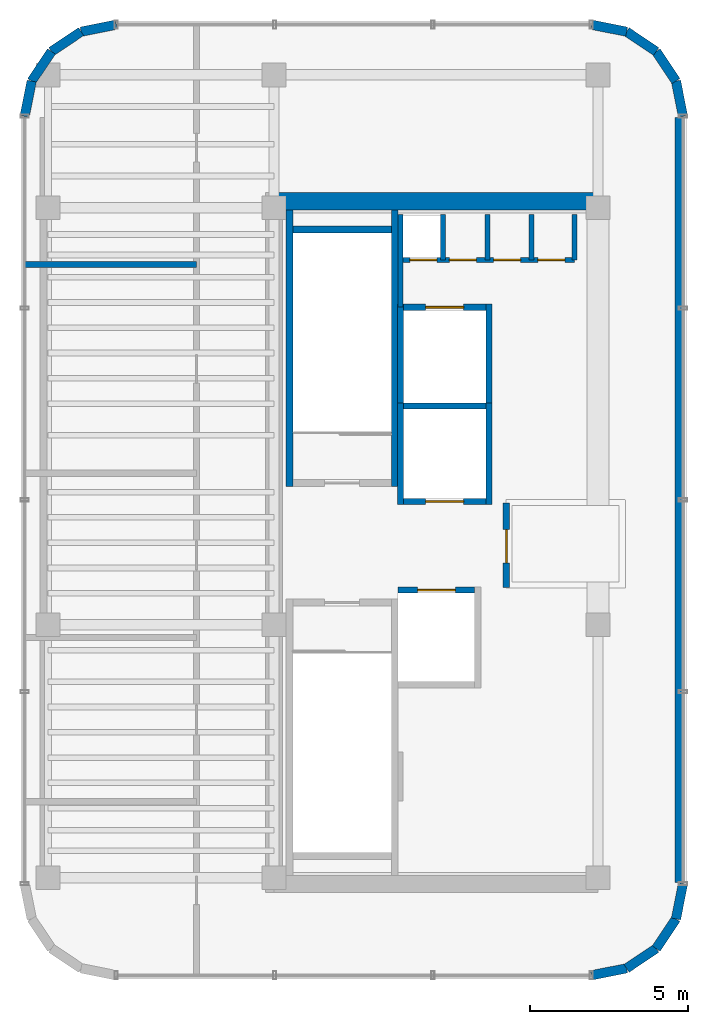
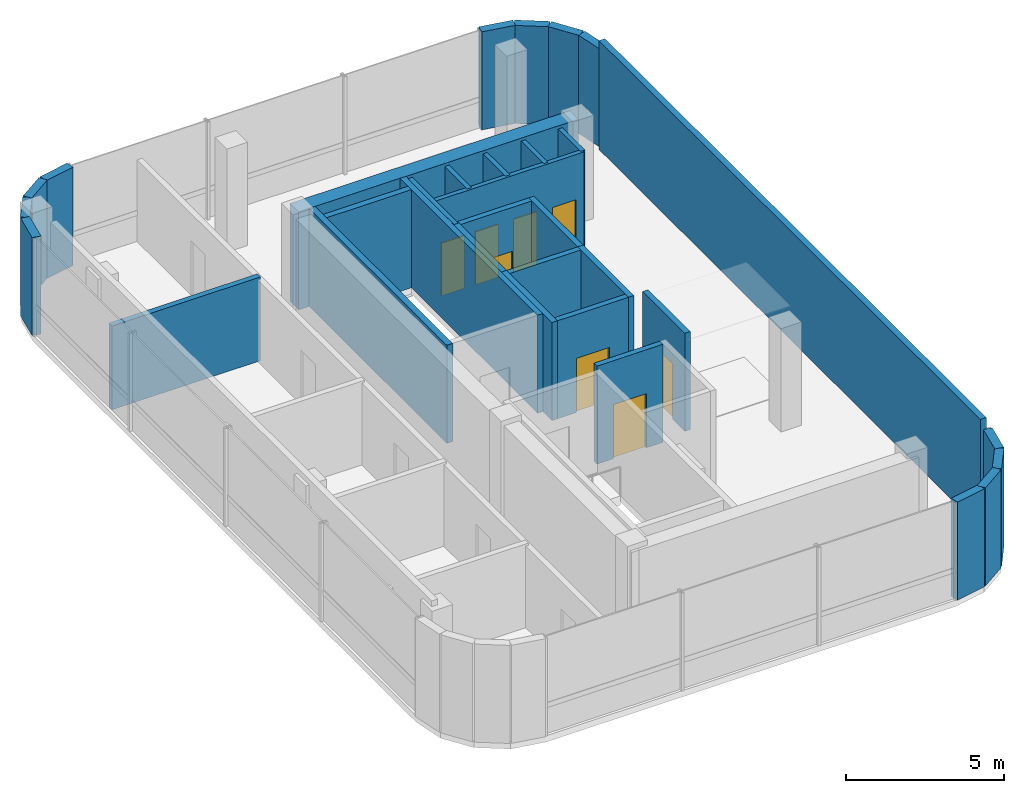
# One storey, part 10 of 11: 33 walls, 8 doors, 8 openings.
"""IFC4 building model written with IfcOpenShell, lengths in metres."""

from ifc_helpers import new_model, si_unit, direction, frame, frame_2d, origin, place, context, subcontext, project, spatial, rectangle, extrude, material, layer, layer_set, type_object, element, fill, save


model = new_model("IFC4")

# Units and contexts
model_context = context("Model", 3, precision=1e-05, world=origin(), true_north=direction((0.0, 1.0)))
body_context = subcontext(model_context, "Body", "Model", "MODEL_VIEW")
ifc_project = project(units=[si_unit("LENGTHUNIT", "METRE"), si_unit("AREAUNIT", "SQUARE_METRE"), si_unit("VOLUMEUNIT", "CUBIC_METRE"), si_unit("PLANEANGLEUNIT", "RADIAN"), si_unit("MASSUNIT", "GRAM", prefix="KILO")], contexts=[model_context])

# Site, building, storey
site_placement = place(None, origin())
site = spatial("IfcSite", under=ifc_project, at=site_placement, CompositionType="ELEMENT")
building_placement = place(site_placement, origin())
building = spatial("IfcBuilding", under=site, at=building_placement, Name="Valdorenza Pilgrim Sanctuary Tower", CompositionType="ELEMENT")
storey_placement = place(building_placement, frame((0.0, 0.0, 303.60009765625)))
storey = spatial("IfcBuildingStorey", under=building, at=storey_placement, Name="L79", CompositionType="ELEMENT", Elevation=303.60009765625)

# Wall
ifc_material_1 = material(Name="Acoustic twin-stud gypsum partition", Category="gypsum")
ifc_layer_1 = layer(ifc_material_1, 0.159912109375, Name="Acoustic twin-stud gypsum partition")
ifc_layer_set_1 = layer_set([ifc_layer_1], Name="Acoustic twin-stud gypsum partition")
wall_type_1 = type_object("IfcWallType", Name="WAL-COR-160", PredefinedType="PARTITIONING", material=ifc_layer_set_1)
wall_1_placement = place(storey_placement, frame((-18.64990234375, 7.449951171875, 0.0), z_axis=(0.0, 0.0, 1.0), x_axis=(0.0, 1.0, 0.0)))
element("IfcWall", 1, at=wall_1_placement, inside=storey, type_object=wall_type_1, Name="L79 Core A North Service West Wall", PredefinedType="PARTITIONING", context=body_context, shape_type="SweptSolid", body=[
    extrude(rectangle(XDim=2.929931640625, YDim=0.159912109375, at=frame_2d((1.46484375, 0.0))), origin(), (0.0, 0.0, 1.0), 3.7998046875),
])

# Wall, openings, doors
wall_2_placement = place(storey_placement, frame((-18.64990234375, 8.949951171875, 0.0), z_axis=(0.0, 0.0, 1.0), x_axis=(1.0, 0.0, 0.0)))
wall_2 = element("IfcWall", 2, at=wall_2_placement, inside=storey, type_object=wall_type_1, Name="L79 Core A North Service South Wall", PredefinedType="PARTITIONING", context=body_context, shape_type="SweptSolid", body=[
    extrude(rectangle(XDim=5.5, YDim=0.159912109375, at=frame_2d((2.75, 0.0))), origin(), (0.0, 0.0, 1.0), 3.7998046875),
])
opening_1_placement = place(wall_2_placement, frame((0.300048828125, 0.0, 0.0)))
opening_1 = element("IfcOpeningElement", 3, at=opening_1_placement, cuts=wall_2, Name="Opening DR-RS1", PredefinedType="OPENING", context=body_context, shape_type="SweptSolid", body=[
    extrude(rectangle(XDim=0.85009765625, YDim=2.050048828125, at=frame_2d((0.425048828125, 1.02490234375))), frame((0.0, 0.0947265625, 0.0), z_axis=(0.0, -1.0, 0.0), x_axis=(1.0, 0.0, 0.0)), (0.0, 0.0, 1.0), 0.189697265625),
])
opening_2_placement = place(wall_2_placement, frame((1.550048828125, 0.0, 0.0)))
opening_2 = element("IfcOpeningElement", 4, at=opening_2_placement, cuts=wall_2, Name="Opening DR-RS1", PredefinedType="OPENING", context=body_context, shape_type="SweptSolid", body=[
    extrude(rectangle(XDim=0.85009765625, YDim=2.050048828125, at=frame_2d((0.425048828125, 1.02490234375))), frame((0.0, 0.0947265625, 0.0), z_axis=(0.0, -1.0, 0.0), x_axis=(1.0, 0.0, 0.0)), (0.0, 0.0, 1.0), 0.189697265625),
])
opening_3_placement = place(wall_2_placement, frame((2.949951171875, 0.0, 0.0)))
opening_3 = element("IfcOpeningElement", 5, at=opening_3_placement, cuts=wall_2, Name="Opening DR-RS1", PredefinedType="OPENING", context=body_context, shape_type="SweptSolid", body=[
    extrude(rectangle(XDim=0.85009765625, YDim=2.050048828125, at=frame_2d((0.425048828125, 1.02490234375))), frame((0.0, 0.0947265625, 0.0), z_axis=(0.0, -1.0, 0.0), x_axis=(1.0, 0.0, 0.0)), (0.0, 0.0, 1.0), 0.189697265625),
])
opening_4_placement = place(wall_2_placement, frame((4.35009765625, 0.0, 0.0)))
opening_4 = element("IfcOpeningElement", 6, at=opening_4_placement, cuts=wall_2, Name="Opening DR-RS1", PredefinedType="OPENING", context=body_context, shape_type="SweptSolid", body=[
    extrude(rectangle(XDim=0.85009765625, YDim=2.050048828125, at=frame_2d((0.425048828125, 1.02490234375))), frame((0.0, 0.0947265625, 0.0), z_axis=(0.0, -1.0, 0.0), x_axis=(1.0, 0.0, 0.0)), (0.0, 0.0, 1.0), 0.189697265625),
])
ifc_material_2 = material(Name="Painted galvanized steel", Category="steel")
door_type_1 = type_object("IfcDoorType", Name="DR-RSR-850", OperationType="NOTDEFINED", PredefinedType="DOOR", material=ifc_material_2)
door_1_placement = place(opening_1_placement, origin())
door_1 = element("IfcDoor", 7, at=door_1_placement, inside=storey, type_object=door_type_1, Name="L79 Core Electrical and Telecom Riser Door", OperationType="SINGLE_SWING_LEFT", OverallHeight=2.050048828125, OverallWidth=0.85009765625, PredefinedType="DOOR", context=body_context, shape_type="SweptSolid", body=[
    extrude(rectangle(XDim=0.85009765625, YDim=2.050048828125, at=frame_2d((0.425048828125, 1.02490234375))), frame((0.0, 0.02490234375, 0.0), z_axis=(0.0, -1.0, 0.0), x_axis=(1.0, 0.0, 0.0)), (0.0, 0.0, 1.0), 0.050048828125),
])
fill(opening_1, door_1)
door_2_placement = place(opening_2_placement, origin())
door_2 = element("IfcDoor", 8, at=door_2_placement, inside=storey, type_object=door_type_1, Name="L79 Core Janitor and Maintenance Store Door", OperationType="SINGLE_SWING_RIGHT", OverallHeight=2.050048828125, OverallWidth=0.85009765625, PredefinedType="DOOR", context=body_context, shape_type="SweptSolid", body=[
    extrude(rectangle(XDim=0.85009765625, YDim=2.050048828125, at=frame_2d((0.425048828125, 1.02490234375))), frame((0.0, 0.02490234375, 0.0), z_axis=(0.0, -1.0, 0.0), x_axis=(1.0, 0.0, 0.0)), (0.0, 0.0, 1.0), 0.050048828125),
])
fill(opening_2, door_2)
door_3_placement = place(opening_3_placement, origin())
door_3 = element("IfcDoor", 9, at=door_3_placement, inside=storey, type_object=door_type_1, Name="L79 Core IT Server Closet Door", OperationType="SINGLE_SWING_LEFT", OverallHeight=2.050048828125, OverallWidth=0.85009765625, PredefinedType="DOOR", context=body_context, shape_type="SweptSolid", body=[
    extrude(rectangle(XDim=0.85009765625, YDim=2.050048828125, at=frame_2d((0.425048828125, 1.02490234375))), frame((0.0, 0.02490234375, 0.0), z_axis=(0.0, -1.0, 0.0), x_axis=(1.0, 0.0, 0.0)), (0.0, 0.0, 1.0), 0.050048828125),
])
fill(opening_3, door_3)
door_4_placement = place(opening_4_placement, origin())
door_4 = element("IfcDoor", 10, at=door_4_placement, inside=storey, type_object=door_type_1, Name="L79 Core Staff Washroom Door", OperationType="SINGLE_SWING_RIGHT", OverallHeight=2.050048828125, OverallWidth=0.85009765625, PredefinedType="DOOR", context=body_context, shape_type="SweptSolid", body=[
    extrude(rectangle(XDim=0.85009765625, YDim=2.050048828125, at=frame_2d((0.425048828125, 1.02490234375))), frame((0.0, 0.02490234375, 0.0), z_axis=(0.0, -1.0, 0.0), x_axis=(1.0, 0.0, 0.0)), (0.0, 0.0, 1.0), 0.050048828125),
])
fill(opening_4, door_4)

# Walls
for number, where, z_axis, x_axis, name in (
    (11, (-13.14990234375, 8.949951171875, 0.0), (0.0, 0.0, 1.0), (0.0, 1.0, 0.0), "L79 Core A North Service East Wall"),
    (12, (-17.300048828125, 8.949951171875, 0.0), (0.0, 0.0, 1.0), (0.0, 1.0, 0.0), "L79 Core Electrical Riser Wall"),
    (13, (-15.89990234375, 8.949951171875, 0.0), (0.0, 0.0, 1.0), (0.0, 1.0, 0.0), "L79 Core A Split D1"),
    (14, (-14.5, 8.949951171875, 0.0), (0.0, 0.0, 1.0), (0.0, 1.0, 0.0), "L79 Core A Split D2"),
):
    element("IfcWall", number, at=place(storey_placement, frame(where, z_axis=z_axis, x_axis=x_axis)), inside=storey, type_object=wall_type_1, Name=name, PredefinedType="PARTITIONING", context=body_context, shape_type="SweptSolid", body=[
        extrude(rectangle(XDim=1.429931640625, YDim=0.159912109375, at=frame_2d((0.71484375, 0.0))), origin(), (0.0, 0.0, 1.0), 3.7998046875),
    ])
ifc_material_3 = material(Name="Concrete C50/60", Category="concrete")
ifc_layer_2 = layer(ifc_material_3, 0.550048828125, Name="Concrete C50/60")
ifc_layer_set_2 = layer_set([ifc_layer_2], Name="Concrete C50/60")
wall_type_2 = type_object("IfcWallType", Name="WAL-COR-550", PredefinedType="SHEAR", material=ifc_layer_set_2)
wall_3_placement = place(storey_placement, frame((-22.64990234375, 10.800048828125, 0.0), z_axis=(0.0, 0.0, 1.0), x_axis=(1.0, 0.0, 0.0)))
element("IfcWall", 15, at=wall_3_placement, inside=storey, type_object=wall_type_2, Name="L79 Split Core A Shear Wall N", PredefinedType="SHEAR", context=body_context, shape_type="SweptSolid", body=[
    extrude(rectangle(XDim=10.25, YDim=0.550048828125, at=frame_2d((5.125, 0.0))), origin(), (0.0, 0.0, 1.0), 3.7998046875),
])
ifc_material_4 = material(Name="Honed travertine limestone", Category="masonry")
ifc_layer_3 = layer(ifc_material_4, 0.300048828125, Name="Honed travertine limestone")
ifc_layer_set_3 = layer_set([ifc_layer_3], Name="Honed travertine limestone")
wall_type_3 = type_object("IfcWallType", Name="WAL-EXT-300", PredefinedType="SOLIDWALL", material=ifc_layer_set_3)
wall_4_placement = place(storey_placement, frame((-30.5400390625, 13.4892578125, 0.0), z_axis=(0.0, 0.0, 1.0), x_axis=(0.195043173023, 0.980794657743, 0.0)))
element("IfcWall", 16, at=wall_4_placement, inside=storey, type_object=wall_type_3, Name="L79 Rounded Wind-Corner Stone Pier 2", PredefinedType="SOLIDWALL", context=body_context, shape_type="SweptSolid", body=[
    extrude(rectangle(XDim=1.137939453125, YDim=0.300048828125, at=frame_2d((0.56884765625, 0.0))), origin(), (0.0, 0.0, 1.0), 3.7998046875),
])
for number, where, z_axis, x_axis, name in (
    (17, (-30.318115234375, 14.605224609375, 0.0), (0.0, 0.0, 1.0), (0.555749754081, 0.831349632128, 0.0), "L79 Rounded Wind-Corner Stone Pier 3"),
    (18, (-29.69189453125, 15.5419921875, 0.0), (0.0, 0.0, 1.0), (0.831449735491, 0.555599979619, 0.0), "L79 Rounded Wind-Corner Stone Pier 4"),
):
    element("IfcWall", number, at=place(storey_placement, frame(where, z_axis=z_axis, x_axis=x_axis)), inside=storey, type_object=wall_type_3, Name=name, PredefinedType="SOLIDWALL", context=body_context, shape_type="SweptSolid", body=[
        extrude(rectangle(XDim=1.126708984375, YDim=0.300048828125, at=frame_2d((0.5634765625, 0.0))), origin(), (0.0, 0.0, 1.0), 3.7998046875),
    ])
for number, where, z_axis, x_axis, name in (
    (19, (-28.755126953125, 16.16796875, 0.0), (0.0, 0.0, 1.0), (0.980794657743, 0.195043173023, 0.0), "L79 Rounded Wind-Corner Stone Pier 5"),
    (20, (-12.61083984375, 16.389892578125, 0.0), (0.0, 0.0, 1.0), (0.980794657743, -0.195043173023, 0.0), "L79 Rounded Wind-Corner Stone Pier 7"),
):
    element("IfcWall", number, at=place(storey_placement, frame(where, z_axis=z_axis, x_axis=x_axis)), inside=storey, type_object=wall_type_3, Name=name, PredefinedType="SOLIDWALL", context=body_context, shape_type="SweptSolid", body=[
        extrude(rectangle(XDim=1.137939453125, YDim=0.300048828125, at=frame_2d((0.56884765625, 0.0))), origin(), (0.0, 0.0, 1.0), 3.7998046875),
    ])
for number, where, z_axis, x_axis, name in (
    (21, (-11.494873046875, 16.16796875, 0.0), (0.0, 0.0, 1.0), (0.831449735491, -0.555599979619, 0.0), "L79 Rounded Wind-Corner Stone Pier 8"),
    (22, (-10.55810546875, 15.5419921875, 0.0), (0.0, 0.0, 1.0), (0.555749754081, -0.831349632128, 0.0), "L79 Rounded Wind-Corner Stone Pier 9"),
):
    element("IfcWall", number, at=place(storey_placement, frame(where, z_axis=z_axis, x_axis=x_axis)), inside=storey, type_object=wall_type_3, Name=name, PredefinedType="SOLIDWALL", context=body_context, shape_type="SweptSolid", body=[
        extrude(rectangle(XDim=1.126708984375, YDim=0.300048828125, at=frame_2d((0.5634765625, 0.0))), origin(), (0.0, 0.0, 1.0), 3.7998046875),
    ])
for number, where, z_axis, x_axis, name in (
    (23, (-9.931884765625, 14.605224609375, 0.0), (0.0, 0.0, 1.0), (0.195043173023, -0.980794657743, 0.0), "L79 Rounded Wind-Corner Stone Pier 10"),
    (24, (-9.7099609375, -10.789306640625, 0.0), (0.0, 0.0, 1.0), (-0.195043173023, -0.980794657743, 0.0), "L79 Rounded Wind-Corner Stone Pier 12"),
):
    element("IfcWall", number, at=place(storey_placement, frame(where, z_axis=z_axis, x_axis=x_axis)), inside=storey, type_object=wall_type_3, Name=name, PredefinedType="SOLIDWALL", context=body_context, shape_type="SweptSolid", body=[
        extrude(rectangle(XDim=1.137939453125, YDim=0.300048828125, at=frame_2d((0.56884765625, 0.0))), origin(), (0.0, 0.0, 1.0), 3.7998046875),
    ])
for number, where, z_axis, x_axis, name in (
    (25, (-9.931884765625, -11.9052734375, 0.0), (0.0, 0.0, 1.0), (-0.555749754081, -0.831349632128, 0.0), "L79 Rounded Wind-Corner Stone Pier 13"),
    (26, (-10.55810546875, -12.842041015625, 0.0), (0.0, 0.0, 1.0), (-0.831449735491, -0.555599979619, 0.0), "L79 Rounded Wind-Corner Stone Pier 14"),
):
    element("IfcWall", number, at=place(storey_placement, frame(where, z_axis=z_axis, x_axis=x_axis)), inside=storey, type_object=wall_type_3, Name=name, PredefinedType="SOLIDWALL", context=body_context, shape_type="SweptSolid", body=[
        extrude(rectangle(XDim=1.126708984375, YDim=0.300048828125, at=frame_2d((0.5634765625, 0.0))), origin(), (0.0, 0.0, 1.0), 3.7998046875),
    ])
wall_5_placement = place(storey_placement, frame((-11.494873046875, -13.468017578125, 0.0), z_axis=(0.0, 0.0, 1.0), x_axis=(-0.980794657743, -0.195043173023, 0.0)))
element("IfcWall", 27, at=wall_5_placement, inside=storey, type_object=wall_type_3, Name="L79 Rounded Wind-Corner Stone Pier 15", PredefinedType="SOLIDWALL", context=body_context, shape_type="SweptSolid", body=[
    extrude(rectangle(XDim=1.137939453125, YDim=0.300048828125, at=frame_2d((0.56884765625, 0.0))), origin(), (0.0, 0.0, 1.0), 3.7998046875),
])

# Wall, opening, door
ifc_material_5 = material(Name="Gypsum shaftwall partition", Category="gypsum")
ifc_layer_4 = layer(ifc_material_5, 0.199951171875, Name="Gypsum shaftwall partition")
ifc_layer_set_4 = layer_set([ifc_layer_4], Name="Gypsum shaftwall partition")
wall_type_4 = type_object("IfcWallType", Name="WAL-FFL-200", PredefinedType="PARTITIONING", material=ifc_layer_set_4)
wall_6_placement = place(storey_placement, frame((-15.300048828125, -1.419921875, 0.0), z_axis=(0.0, 0.0, 1.0), x_axis=(0.0, 1.0, 0.0)))
wall_6 = element("IfcWall", 28, at=wall_6_placement, inside=storey, type_object=wall_type_4, Name="L79 Core A Firefighting Lobby East Wall", PredefinedType="PARTITIONING", context=body_context, shape_type="SweptSolid", body=[
    extrude(rectangle(XDim=2.669921875, YDim=0.199951171875, at=frame_2d((1.3349609375, 0.0))), origin(), (0.0, 0.0, 1.0), 3.7998046875),
])
opening_5_placement = place(wall_6_placement, frame((0.780029296875, 0.0, 0.0)))
opening_5 = element("IfcOpeningElement", 29, at=opening_5_placement, cuts=wall_6, Name="Opening DR-FL1", PredefinedType="OPENING", context=body_context, shape_type="SweptSolid", body=[
    extrude(rectangle(XDim=1.050048828125, YDim=2.14990234375, at=frame_2d((0.52490234375, 1.074951171875))), frame((0.0, 0.11474609375, 0.0), z_axis=(0.0, -1.0, 0.0), x_axis=(1.0, 0.0, 0.0)), (0.0, 0.0, 1.0), 0.229736328125),
])
door_type_2 = type_object("IfcDoorType", Name="DR-FFL-1050", OperationType="NOTDEFINED", PredefinedType="DOOR", material=ifc_material_2)
door_5_placement = place(opening_5_placement, origin())
door_5 = element("IfcDoor", 30, at=door_5_placement, inside=storey, type_object=door_type_2, Name="L79 Core A Firefighting Lobby Door", OperationType="SINGLE_SWING_RIGHT", OverallHeight=2.14990234375, OverallWidth=1.050048828125, PredefinedType="DOOR", context=body_context, shape_type="SweptSolid", body=[
    extrude(rectangle(XDim=1.050048828125, YDim=2.14990234375, at=frame_2d((0.52490234375, 1.074951171875))), frame((0.0, 0.02490234375, 0.0), z_axis=(0.0, -1.0, 0.0), x_axis=(1.0, 0.0, 0.0)), (0.0, 0.0, 1.0), 0.050048828125),
])
fill(opening_5, door_5)

# Walls
wall_7_placement = place(storey_placement, frame((-30.5400390625, 8.800048828125, 0.0), z_axis=(0.0, 0.0, 1.0), x_axis=(1.0, 0.0, 0.0)))
element("IfcWall", 31, at=wall_7_placement, inside=storey, type_object=wall_type_4, Name="L79 L79 Plant Compartment Wall 4", PredefinedType="PARTITIONING", context=body_context, shape_type="SweptSolid", body=[
    extrude(rectangle(XDim=5.43994140625, YDim=0.199951171875, at=frame_2d((2.719970703125, 0.0))), origin(), (0.0, 0.0, 1.0), 3.245849609375),
])
ifc_material_6 = material(Name="Autoclaved aerated concrete blockwork", Category="masonry")
ifc_layer_5 = layer(ifc_material_6, 0.199951171875, Name="Autoclaved aerated concrete blockwork")
ifc_layer_set_5 = layer_set([ifc_layer_5], Name="Autoclaved aerated concrete blockwork")
wall_type_5 = type_object("IfcWallType", Name="WAL-SHF-200", PredefinedType="MOVABLE", material=ifc_layer_set_5)
for number, where, z_axis, x_axis, name in (
    (32, (-18.64990234375, 1.199951171875, 0.0), (0.0, 0.0, 1.0), (0.0, 1.0, 0.0), "L79 Lift FFL-01 Hoistway Wall West"),
    (33, (-15.85009765625, 1.199951171875, 0.0), (0.0, 0.0, 1.0), (0.0, 1.0, 0.0), "L79 Lift FFL-01 Hoistway Wall East"),
):
    element("IfcWall", number, at=place(storey_placement, frame(where, z_axis=z_axis, x_axis=x_axis)), inside=storey, type_object=wall_type_5, Name=name, PredefinedType="MOVABLE", context=body_context, shape_type="SweptSolid", body=[
        extrude(rectangle(XDim=3.22509765625, YDim=0.199951171875, at=frame_2d((1.612548828125, 0.0))), origin(), (0.0, 0.0, 1.0), 3.7998046875),
    ])

# Wall, opening, door
wall_8_placement = place(storey_placement, frame((-18.550048828125, 1.300048828125, 0.0), z_axis=(0.0, 0.0, 1.0), x_axis=(1.0, 0.0, 0.0)))
wall_8 = element("IfcWall", 34, at=wall_8_placement, inside=storey, type_object=wall_type_5, Name="L79 Lift FFL-01 Hoistway Wall South", PredefinedType="MOVABLE", context=body_context, shape_type="SweptSolid", body=[
    extrude(rectangle(XDim=2.60009765625, YDim=0.199951171875, at=frame_2d((1.300048828125, 0.0))), origin(), (0.0, 0.0, 1.0), 3.7998046875),
])
opening_6_placement = place(wall_8_placement, frame((0.699951171875, 0.0, 0.0)))
opening_6 = element("IfcOpeningElement", 35, at=opening_6_placement, cuts=wall_8, Name="Opening LD-02", PredefinedType="OPENING", context=body_context, shape_type="SweptSolid", body=[
    extrude(rectangle(XDim=1.199951171875, YDim=2.10009765625, at=frame_2d((0.60009765625, 1.050048828125))), frame((0.0, 0.11474609375, 0.0), z_axis=(0.0, -1.0, 0.0), x_axis=(1.0, 0.0, 0.0)), (0.0, 0.0, 1.0), 0.229736328125),
])
ifc_material_7 = material(Name="Brushed stainless steel Grade 316", Category="steel")
door_type_3 = type_object("IfcDoorType", Name="DR-LFT-1200", OperationType="DOUBLE_DOOR_SLIDING", PredefinedType="DOOR", material=ifc_material_7)
door_6_placement = place(opening_6_placement, origin())
door_6 = element("IfcDoor", 36, at=door_6_placement, inside=storey, type_object=door_type_3, Name="L79 Lift FFL-01 Sliding Landing Door", OperationType="DOUBLE_DOOR_SLIDING", OverallHeight=2.10009765625, OverallWidth=1.199951171875, PredefinedType="DOOR", context=body_context, shape_type="SweptSolid", body=[
    extrude(rectangle(XDim=1.199951171875, YDim=2.10009765625, at=frame_2d((0.60009765625, 1.050048828125))), frame((0.0, 0.02490234375, 0.0), z_axis=(0.0, -1.0, 0.0), x_axis=(1.0, 0.0, 0.0)), (0.0, 0.0, 1.0), 0.050048828125),
])
fill(opening_6, door_6)

# Wall
wall_9_placement = place(storey_placement, frame((-18.550048828125, 4.324951171875, 0.0), z_axis=(0.0, 0.0, 1.0), x_axis=(1.0, 0.0, 0.0)))
element("IfcWall", 37, at=wall_9_placement, inside=storey, type_object=wall_type_5, Name="L79 Lift FFL-01 Hoistway Wall North", PredefinedType="MOVABLE", context=body_context, shape_type="SweptSolid", body=[
    extrude(rectangle(XDim=2.60009765625, YDim=0.199951171875, at=frame_2d((1.300048828125, 0.0))), origin(), (0.0, 0.0, 1.0), 3.7998046875),
])

# Wall, opening, door
wall_10_placement = place(storey_placement, frame((-18.719970703125, -1.5, 0.0), z_axis=(0.0, 0.0, 1.0), x_axis=(1.0, 0.0, 0.0)))
wall_10 = element("IfcWall", 38, at=wall_10_placement, inside=storey, type_object=wall_type_5, Name="L79 Lift FFL-02 Hoistway Wall North", PredefinedType="MOVABLE", context=body_context, shape_type="SweptSolid", body=[
    extrude(rectangle(XDim=2.419921875, YDim=0.199951171875, at=frame_2d((1.2099609375, 0.0))), origin(), (0.0, 0.0, 1.0), 3.7998046875),
])
opening_7_placement = place(wall_10_placement, frame((0.610107421875, 0.0, 0.0)))
opening_7 = element("IfcOpeningElement", 39, at=opening_7_placement, cuts=wall_10, Name="Opening LD-02", PredefinedType="OPENING", context=body_context, shape_type="SweptSolid", body=[
    extrude(rectangle(XDim=1.199951171875, YDim=2.10009765625, at=frame_2d((0.60009765625, 1.050048828125))), frame((0.0, 0.11474609375, 0.0), z_axis=(0.0, -1.0, 0.0), x_axis=(1.0, 0.0, 0.0)), (0.0, 0.0, 1.0), 0.229736328125),
])
door_7_placement = place(opening_7_placement, origin())
door_7 = element("IfcDoor", 40, at=door_7_placement, inside=storey, type_object=door_type_3, Name="L79 Lift FFL-02 Sliding Landing Door", OperationType="DOUBLE_DOOR_SLIDING", OverallHeight=2.10009765625, OverallWidth=1.199951171875, PredefinedType="DOOR", context=body_context, shape_type="SweptSolid", body=[
    extrude(rectangle(XDim=1.199951171875, YDim=2.10009765625, at=frame_2d((0.60009765625, 1.050048828125))), frame((0.0, 0.02490234375, 0.0), z_axis=(0.0, -1.0, 0.0), x_axis=(1.0, 0.0, 0.0)), (0.0, 0.0, 1.0), 0.050048828125),
])
fill(opening_7, door_7)

# Walls
for number, where, z_axis, x_axis, name in (
    (41, (-18.64990234375, 4.22509765625, 0.0), (0.0, 0.0, 1.0), (0.0, 1.0, 0.0), "L79 Lift SVL-01 Hoistway Wall West"),
    (42, (-15.85009765625, 4.22509765625, 0.0), (0.0, 0.0, 1.0), (0.0, 1.0, 0.0), "L79 Lift SVL-01 Hoistway Wall East"),
):
    element("IfcWall", number, at=place(storey_placement, frame(where, z_axis=z_axis, x_axis=x_axis)), inside=storey, type_object=wall_type_5, Name=name, PredefinedType="MOVABLE", context=body_context, shape_type="SweptSolid", body=[
        extrude(rectangle(XDim=3.324951171875, YDim=0.199951171875, at=frame_2d((1.66259765625, 0.0))), origin(), (0.0, 0.0, 1.0), 3.7998046875),
    ])

# Wall, opening, door
wall_11_placement = place(storey_placement, frame((-18.550048828125, 7.449951171875, 0.0), z_axis=(0.0, 0.0, 1.0), x_axis=(1.0, 0.0, 0.0)))
wall_11 = element("IfcWall", 43, at=wall_11_placement, inside=storey, type_object=wall_type_5, Name="L79 Lift SVL-01 Hoistway Wall North", PredefinedType="MOVABLE", context=body_context, shape_type="SweptSolid", body=[
    extrude(rectangle(XDim=2.60009765625, YDim=0.199951171875, at=frame_2d((1.300048828125, 0.0))), origin(), (0.0, 0.0, 1.0), 3.7998046875),
])
opening_8_placement = place(wall_11_placement, frame((0.699951171875, 0.0, 0.0)))
opening_8 = element("IfcOpeningElement", 44, at=opening_8_placement, cuts=wall_11, Name="Opening LD-02", PredefinedType="OPENING", context=body_context, shape_type="SweptSolid", body=[
    extrude(rectangle(XDim=1.199951171875, YDim=2.10009765625, at=frame_2d((0.60009765625, 1.050048828125))), frame((0.0, 0.11474609375, 0.0), z_axis=(0.0, -1.0, 0.0), x_axis=(1.0, 0.0, 0.0)), (0.0, 0.0, 1.0), 0.229736328125),
])
door_8_placement = place(opening_8_placement, origin())
door_8 = element("IfcDoor", 45, at=door_8_placement, inside=storey, type_object=door_type_3, Name="L79 Lift SVL-01 Sliding Landing Door", OperationType="DOUBLE_DOOR_SLIDING", OverallHeight=2.10009765625, OverallWidth=1.199951171875, PredefinedType="DOOR", context=body_context, shape_type="SweptSolid", body=[
    extrude(rectangle(XDim=1.199951171875, YDim=2.10009765625, at=frame_2d((0.60009765625, 1.050048828125))), frame((0.0, 0.02490234375, 0.0), z_axis=(0.0, -1.0, 0.0), x_axis=(1.0, 0.0, 0.0)), (0.0, 0.0, 1.0), 0.050048828125),
])
fill(opening_8, door_8)

# Walls
ifc_material_8 = material(Name="Concrete C40/50", Category="concrete")
ifc_layer_6 = layer(ifc_material_8, 0.219970703125, Name="Concrete C40/50")
ifc_layer_set_6 = layer_set([ifc_layer_6], Name="Concrete C40/50")
wall_type_6 = type_object("IfcWallType", Name="WAL-STR-SHF-220", PredefinedType="SHEAR", material=ifc_layer_set_6)
for number, where, z_axis, x_axis, name in (
    (46, (-22.159912109375, 1.780029296875, 0.0), (0.0, 0.0, 1.0), (0.0, 1.0, 0.0), "L79 ST-A1 Structural Stairwell Wall W"),
    (47, (-18.830078125, 1.780029296875, 0.0), (0.0, 0.0, 1.0), (0.0, 1.0, 0.0), "L79 ST-A1 Structural Stairwell Wall E"),
):
    element("IfcWall", number, at=place(storey_placement, frame(where, z_axis=z_axis, x_axis=x_axis)), inside=storey, type_object=wall_type_6, Name=name, PredefinedType="SHEAR", context=body_context, shape_type="SweptSolid", body=[
        extrude(rectangle(XDim=8.744873046875, YDim=0.219970703125, at=frame_2d((4.37255859375, 0.0))), origin(), (0.0, 0.0, 1.0), 3.7998046875),
    ])
wall_12_placement = place(storey_placement, frame((-22.050048828125, 9.909912109375, 0.0), z_axis=(0.0, 0.0, 1.0), x_axis=(1.0, 0.0, 0.0)))
element("IfcWall", 48, at=wall_12_placement, inside=storey, type_object=wall_type_6, Name="L79 ST-A1 Structural Stairwell Wall N", PredefinedType="SHEAR", context=body_context, shape_type="SweptSolid", body=[
    extrude(rectangle(XDim=3.110107421875, YDim=0.219970703125, at=frame_2d((1.55517578125, 0.0))), origin(), (0.0, 0.0, 1.0), 3.7998046875),
])
wall_13_placement = place(storey_placement, frame((-9.85009765625, -10.75, 0.0), z_axis=(0.0, 0.0, 1.0), x_axis=(0.0, 1.0, 0.0)))
element("IfcWall", 49, at=wall_13_placement, inside=storey, type_object=wall_type_6, Name="L79 Crown Eave Structural Bearing Wall E", PredefinedType="SHEAR", context=body_context, shape_type="SweptSolid", body=[
    extrude(rectangle(XDim=24.199951171875, YDim=0.219970703125, at=frame_2d((12.10009765625, 0.0))), origin(), (0.0, 0.0, 1.0), 4.219970703125),
])

save(model, "model.ifc")
